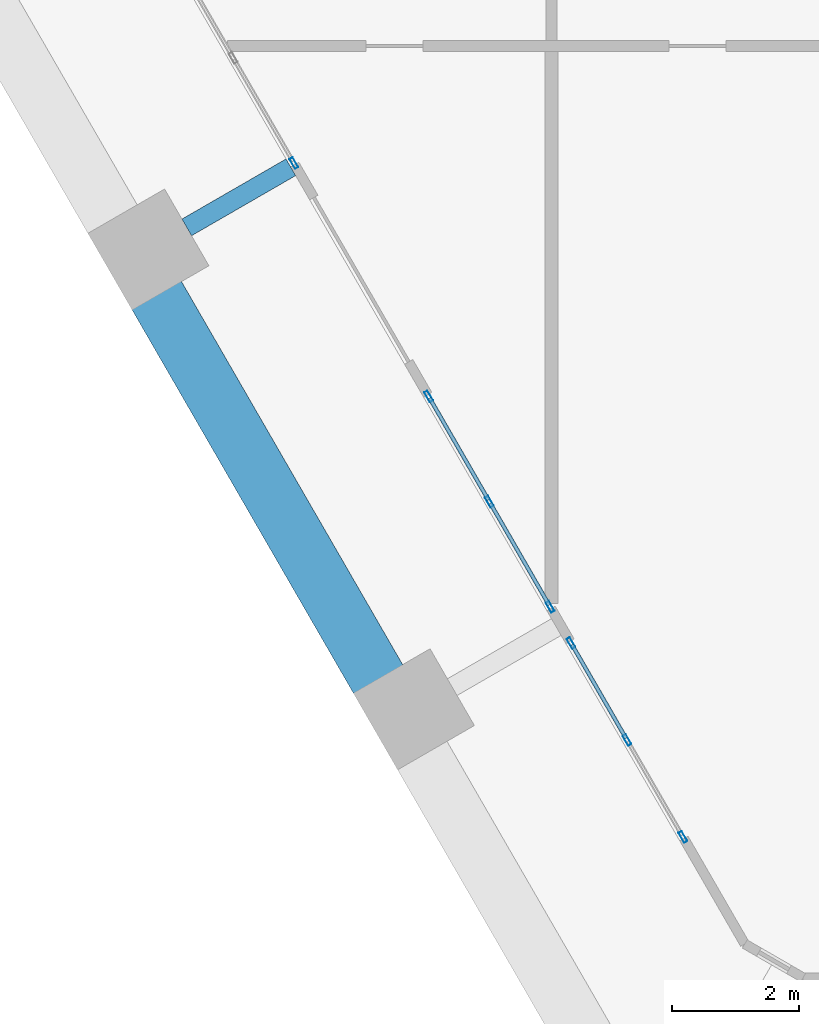
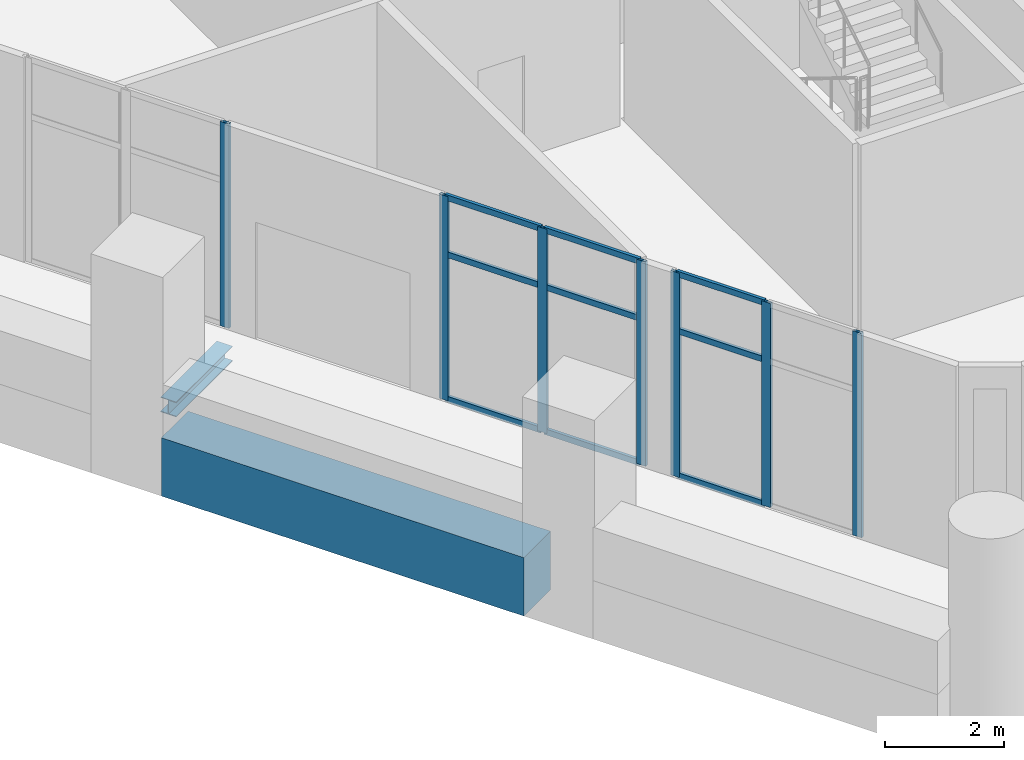
# One storey, part 2 of 18: 16 members, 2 beams, 3 elements without a shape of their own.
"""IFC4 building model written with IfcOpenShell, lengths in metres."""

from ifc_helpers import new_model, si_unit, direction, frame, origin, origin_2d, place, context, subcontext, project, spatial, rectangle, hollow_rectangle, i_section, extrude, material, material_profile, profile_set, type_object, element, aggregate, save


model = new_model("IFC4")

# Units and contexts
model_context = context("Model", 3, precision=1e-05, world=origin(), true_north=direction((0.0, 1.0)))
body_context = subcontext(model_context, "Body", "Model", "MODEL_VIEW")
ifc_project = project(units=[si_unit("LENGTHUNIT", "METRE"), si_unit("AREAUNIT", "SQUARE_METRE"), si_unit("VOLUMEUNIT", "CUBIC_METRE"), si_unit("PLANEANGLEUNIT", "RADIAN"), si_unit("MASSUNIT", "GRAM", prefix="KILO")], contexts=[model_context])

# Site, building, storey
site_placement = place(None, origin())
site = spatial("IfcSite", under=ifc_project, at=site_placement, CompositionType="ELEMENT")
building_placement = place(site_placement, origin())
building = spatial("IfcBuilding", under=site, at=building_placement, Name="Ostrander Bayou Hotel Tower", CompositionType="ELEMENT")
storey_placement = place(building_placement, frame((0.0, 0.0, 14.5)))
storey = spatial("IfcBuildingStorey", under=building, at=storey_placement, Name="L03", CompositionType="ELEMENT", Elevation=14.5)

# Curtain wall, member
ifc_material_1 = material(Name="Aluminium and clear glass", Category="aluminium")
curtain_wall_type = type_object("IfcCurtainWallType", Name="CW-SKY amenity glass wall", PredefinedType="NOTDEFINED", material=ifc_material_1)
curtain_wall_1_placement = place(storey_placement, origin())
curtain_wall_1 = element("IfcCurtainWall", 1, at=curtain_wall_1_placement, inside=storey, type_object=curtain_wall_type, Name="CW-SKY L03 SW 1", PredefinedType="NOTDEFINED")
ifc_material_2 = material(Name="Aluminium", Category="aluminium")
ifc_material_profile_1 = material_profile(ifc_material_2, hollow_rectangle(XDim=0.06005859375, YDim=0.179931640625, WallThickness=0.00390625, at=origin_2d()))
ifc_profile_set_1 = profile_set([ifc_material_profile_1], Name="Aluminium")
member_type_1 = type_object("IfcMemberType", Name="CW-SK mullion 60 x 180 mm", PredefinedType="MULLION", material=ifc_profile_set_1)
member_1_placement = place(storey_placement, frame((-18.071533203125, -5.54931640625, 0.0), z_axis=(0.0, 0.0, 1.0), x_axis=(0.866025463091, 0.499999897278, 0.0)))
member_1 = element("IfcMember", 2, at=member_1_placement, type_object=member_type_1, Name="CW-SKY mullion 3", PredefinedType="MULLION", context=body_context, shape_type="SweptSolid", body=[
    extrude(hollow_rectangle(XDim=0.06005859375, YDim=0.179931640625, WallThickness=0.00390625, at=origin_2d()), origin(), (0.0, 0.0, 1.0), 4.199951171875),
])
aggregate(curtain_wall_1, [member_1])

# Curtain wall, members
curtain_wall_2_placement = place(storey_placement, origin())
curtain_wall_2 = element("IfcCurtainWall", 3, at=curtain_wall_2_placement, inside=storey, type_object=curtain_wall_type, Name="CW-SKY L03 SW 3", PredefinedType="NOTDEFINED")
member_2_placement = place(storey_placement, frame((-15.94140625, -9.238525390625, 0.0), z_axis=(0.0, 0.0, 1.0), x_axis=(0.866025463091, 0.499999897278, 0.0)))
member_2 = element("IfcMember", 4, at=member_2_placement, type_object=member_type_1, Name="CW-SKY mullion 1", PredefinedType="MULLION", context=body_context, shape_type="SweptSolid", body=[
    extrude(hollow_rectangle(XDim=0.06005859375, YDim=0.179931640625, WallThickness=0.00390625, at=origin_2d()), origin(), (0.0, 0.0, 1.0), 4.199951171875),
])
member_3_placement = place(storey_placement, frame((-14.9814453125, -10.9013671875, 0.0), z_axis=(0.0, 0.0, 1.0), x_axis=(0.866025463091, 0.499999897278, 0.0)))
member_3 = element("IfcMember", 5, at=member_3_placement, type_object=member_type_1, Name="CW-SKY mullion 2", PredefinedType="MULLION", context=body_context, shape_type="SweptSolid", body=[
    extrude(hollow_rectangle(XDim=0.06005859375, YDim=0.179931640625, WallThickness=0.00390625, at=origin_2d()), origin(), (0.0, 0.0, 1.0), 4.199951171875),
])
member_4_placement = place(storey_placement, frame((-14.021484375, -12.56396484375, 0.0), z_axis=(0.0, 0.0, 1.0), x_axis=(0.866025463091, 0.499999897278, 0.0)))
member_4 = element("IfcMember", 6, at=member_4_placement, type_object=member_type_1, Name="CW-SKY mullion 3", PredefinedType="MULLION", context=body_context, shape_type="SweptSolid", body=[
    extrude(hollow_rectangle(XDim=0.06005859375, YDim=0.179931640625, WallThickness=0.00390625, at=origin_2d()), origin(), (0.0, 0.0, 1.0), 4.199951171875),
])

curtain_wall_3_placement = place(storey_placement, origin())
curtain_wall_3 = element("IfcCurtainWall", 7, at=curtain_wall_3_placement, inside=storey, type_object=curtain_wall_type, Name="CW-SKY L03 SW 4", PredefinedType="NOTDEFINED")
member_5_placement = place(storey_placement, frame((-13.69140625, -13.135498046875, 0.0), z_axis=(0.0, 0.0, 1.0), x_axis=(0.866025997283, 0.499998972029, 0.0)))
member_5 = element("IfcMember", 8, at=member_5_placement, type_object=member_type_1, Name="CW-SKY mullion 1", PredefinedType="MULLION", context=body_context, shape_type="SweptSolid", body=[
    extrude(hollow_rectangle(XDim=0.06005859375, YDim=0.179931640625, WallThickness=0.00390625, at=origin_2d()), origin(), (0.0, 0.0, 1.0), 4.199951171875),
])
member_6_placement = place(storey_placement, frame((-12.806396484375, -14.66845703125, 0.0), z_axis=(0.0, 0.0, 1.0), x_axis=(0.866025997283, 0.499998972029, 0.0)))
member_6 = element("IfcMember", 9, at=member_6_placement, type_object=member_type_1, Name="CW-SKY mullion 2", PredefinedType="MULLION", context=body_context, shape_type="SweptSolid", body=[
    extrude(hollow_rectangle(XDim=0.06005859375, YDim=0.179931640625, WallThickness=0.00390625, at=origin_2d()), origin(), (0.0, 0.0, 1.0), 4.199951171875),
])
member_7_placement = place(storey_placement, frame((-11.92138671875, -16.201416015625, 0.0), z_axis=(0.0, 0.0, 1.0), x_axis=(0.866025997283, 0.499998972029, 0.0)))
member_7 = element("IfcMember", 10, at=member_7_placement, type_object=member_type_1, Name="CW-SKY mullion 3", PredefinedType="MULLION", context=body_context, shape_type="SweptSolid", body=[
    extrude(hollow_rectangle(XDim=0.06005859375, YDim=0.179931640625, WallThickness=0.00390625, at=origin_2d()), origin(), (0.0, 0.0, 1.0), 4.199951171875),
])

# Member
ifc_material_3 = material(Name="Aluminium", Category="aluminium")
ifc_material_profile_2 = material_profile(ifc_material_3, hollow_rectangle(XDim=0.06005859375, YDim=0.1201171875, WallThickness=0.00390625, at=origin_2d()))
ifc_profile_set_2 = profile_set([ifc_material_profile_2], Name="Aluminium")
member_type_2 = type_object("IfcMemberType", Name="CW-SK transom 60 x 120 mm", PredefinedType="USERDEFINED", material=ifc_profile_set_2)
member_8_placement = place(storey_placement, frame((-15.926513671875, -9.264404296875, 0.030029296875), z_axis=(0.499964847546, -0.866045698112, 0.0), x_axis=(0.866045698112, 0.499964847546, 0.0)))
member_8 = element("IfcMember", 11, at=member_8_placement, type_object=member_type_2, Name="CW-SKY transom 1.1", ObjectType="TRANSOM", PredefinedType="USERDEFINED", context=body_context, shape_type="SweptSolid", body=[
    extrude(hollow_rectangle(XDim=0.06005859375, YDim=0.1201171875, WallThickness=0.00390625, at=origin_2d()), origin(), (0.0, 0.0, 1.0), 1.860107421875),
])

member_9_placement = place(storey_placement, frame((-15.926513671875, -9.264404296875, 3.0), z_axis=(0.499964847546, -0.866045698112, 0.0), x_axis=(0.866045698112, 0.499964847546, 0.0)))
member_9 = element("IfcMember", 12, at=member_9_placement, type_object=member_type_2, Name="CW-SKY transom 1.2", ObjectType="TRANSOM", PredefinedType="USERDEFINED", context=body_context, shape_type="SweptSolid", body=[
    extrude(hollow_rectangle(XDim=0.06005859375, YDim=0.1201171875, WallThickness=0.00390625, at=origin_2d()), origin(), (0.0, 0.0, 1.0), 1.860107421875),
])

member_10_placement = place(storey_placement, frame((-15.926513671875, -9.264404296875, 4.169921875), z_axis=(0.499964847546, -0.866045698112, 0.0), x_axis=(0.866045698112, 0.499964847546, 0.0)))
member_10 = element("IfcMember", 13, at=member_10_placement, type_object=member_type_2, Name="CW-SKY transom 1.3", ObjectType="TRANSOM", PredefinedType="USERDEFINED", context=body_context, shape_type="SweptSolid", body=[
    extrude(hollow_rectangle(XDim=0.06005859375, YDim=0.1201171875, WallThickness=0.00390625, at=origin_2d()), origin(), (0.0, 0.0, 1.0), 1.860107421875),
])

member_11_placement = place(storey_placement, frame((-14.966552734375, -10.92724609375, 0.030029296875), z_axis=(0.499964847546, -0.866045698112, 0.0), x_axis=(0.866045698112, 0.499964847546, 0.0)))
member_11 = element("IfcMember", 14, at=member_11_placement, type_object=member_type_2, Name="CW-SKY transom 2.1", ObjectType="TRANSOM", PredefinedType="USERDEFINED", context=body_context, shape_type="SweptSolid", body=[
    extrude(hollow_rectangle(XDim=0.06005859375, YDim=0.1201171875, WallThickness=0.00390625, at=origin_2d()), origin(), (0.0, 0.0, 1.0), 1.860107421875),
])

member_12_placement = place(storey_placement, frame((-14.966552734375, -10.92724609375, 3.0), z_axis=(0.499964847546, -0.866045698112, 0.0), x_axis=(0.866045698112, 0.499964847546, 0.0)))
member_12 = element("IfcMember", 15, at=member_12_placement, type_object=member_type_2, Name="CW-SKY transom 2.2", ObjectType="TRANSOM", PredefinedType="USERDEFINED", context=body_context, shape_type="SweptSolid", body=[
    extrude(hollow_rectangle(XDim=0.06005859375, YDim=0.1201171875, WallThickness=0.00390625, at=origin_2d()), origin(), (0.0, 0.0, 1.0), 1.860107421875),
])

member_13_placement = place(storey_placement, frame((-14.966552734375, -10.92724609375, 4.169921875), z_axis=(0.499964847546, -0.866045698112, 0.0), x_axis=(0.866045698112, 0.499964847546, 0.0)))
member_13 = element("IfcMember", 16, at=member_13_placement, type_object=member_type_2, Name="CW-SKY transom 2.3", ObjectType="TRANSOM", PredefinedType="USERDEFINED", context=body_context, shape_type="SweptSolid", body=[
    extrude(hollow_rectangle(XDim=0.06005859375, YDim=0.1201171875, WallThickness=0.00390625, at=origin_2d()), origin(), (0.0, 0.0, 1.0), 1.860107421875),
])

aggregate(curtain_wall_2, [member_2, member_3, member_4, member_8, member_9, member_10, member_11, member_12, member_13])

member_14_placement = place(storey_placement, frame((-13.676513671875, -13.16162109375, 0.030029296875), z_axis=(0.499977863513, -0.866038183914, 0.0), x_axis=(0.866038183914, 0.499977863513, 0.0)))
member_14 = element("IfcMember", 17, at=member_14_placement, type_object=member_type_2, Name="CW-SKY transom 1.1", ObjectType="TRANSOM", PredefinedType="USERDEFINED", context=body_context, shape_type="SweptSolid", body=[
    extrude(hollow_rectangle(XDim=0.06005859375, YDim=0.1201171875, WallThickness=0.00390625, at=origin_2d()), origin(), (0.0, 0.0, 1.0), 1.7099609375),
])

member_15_placement = place(storey_placement, frame((-13.676513671875, -13.16162109375, 3.0), z_axis=(0.499977863513, -0.866038183914, 0.0), x_axis=(0.866038183914, 0.499977863513, 0.0)))
member_15 = element("IfcMember", 18, at=member_15_placement, type_object=member_type_2, Name="CW-SKY transom 1.2", ObjectType="TRANSOM", PredefinedType="USERDEFINED", context=body_context, shape_type="SweptSolid", body=[
    extrude(hollow_rectangle(XDim=0.06005859375, YDim=0.1201171875, WallThickness=0.00390625, at=origin_2d()), origin(), (0.0, 0.0, 1.0), 1.7099609375),
])

member_16_placement = place(storey_placement, frame((-13.676513671875, -13.16162109375, 4.169921875), z_axis=(0.499977863513, -0.866038183914, 0.0), x_axis=(0.866038183914, 0.499977863513, 0.0)))
member_16 = element("IfcMember", 19, at=member_16_placement, type_object=member_type_2, Name="CW-SKY transom 1.3", ObjectType="TRANSOM", PredefinedType="USERDEFINED", context=body_context, shape_type="SweptSolid", body=[
    extrude(hollow_rectangle(XDim=0.06005859375, YDim=0.1201171875, WallThickness=0.00390625, at=origin_2d()), origin(), (0.0, 0.0, 1.0), 1.7099609375),
])

aggregate(curtain_wall_3, [member_5, member_6, member_7, member_14, member_15, member_16])

# Beams
ifc_material_4 = material(Name="Steel ASTM A992", Category="steel")
ifc_material_profile_3 = material_profile(ifc_material_4, i_section(OverallWidth=0.3046875, OverallDepth=0.307861328125, WebThickness=0.010009765625, FlangeThickness=0.015380859375, at=origin_2d()))
ifc_profile_set_3 = profile_set([ifc_material_profile_3], Name="Steel ASTM A992")
beam_type_1 = type_object("IfcBeamType", Name="LB1 loggia bracket W12x65", PredefinedType="BEAM", material=ifc_profile_set_3)
beam_1_placement = place(storey_placement, frame((-19.7646484375, -6.566650390625, -0.453857421875), z_axis=(0.866044365799, 0.499967155389, 0.0), x_axis=(-0.499967155389, 0.866044365799, 0.0)))
element("IfcBeam", 20, at=beam_1_placement, inside=storey, type_object=beam_type_1, Name="LB1 L03 SW1", PredefinedType="BEAM", context=body_context, shape_type="SweptSolid", body=[
    extrude(i_section(OverallWidth=0.3046875, OverallDepth=0.307861328125, WebThickness=0.010009765625, FlangeThickness=0.015380859375, at=origin_2d()), origin(), (0.0, 0.0, 1.0), 1.900146484375),
])
ifc_material_5 = material(Name="Concrete f'c 70 MPa", Category="concrete")
ifc_material_profile_4 = material_profile(ifc_material_5, rectangle(XDim=0.89990234375, YDim=1.199951171875, at=origin_2d()))
ifc_profile_set_4 = profile_set([ifc_material_profile_4], Name="Concrete f'c 70 MPa")
beam_type_2 = type_object("IfcBeamType", Name="SP1 spandrel beam 900 x 1200 mm f'c 70 MPa", PredefinedType="SPANDREL", material=ifc_profile_set_4)
beam_2_placement = place(storey_placement, frame((-20.252197265625, -7.621826171875, -0.60009765625), z_axis=(0.499997206141, -0.866027016814, 0.0), x_axis=(0.866027016814, 0.499997206141, 0.0)))
element("IfcBeam", 21, at=beam_2_placement, inside=storey, type_object=beam_type_2, Name="SP1 L03 SW-2", PredefinedType="SPANDREL", context=body_context, shape_type="SweptSolid", body=[
    extrude(rectangle(XDim=0.89990234375, YDim=1.199951171875, at=origin_2d()), origin(), (0.0, 0.0, 1.0), 7.05078125),
])

save(model, "model.ifc")
